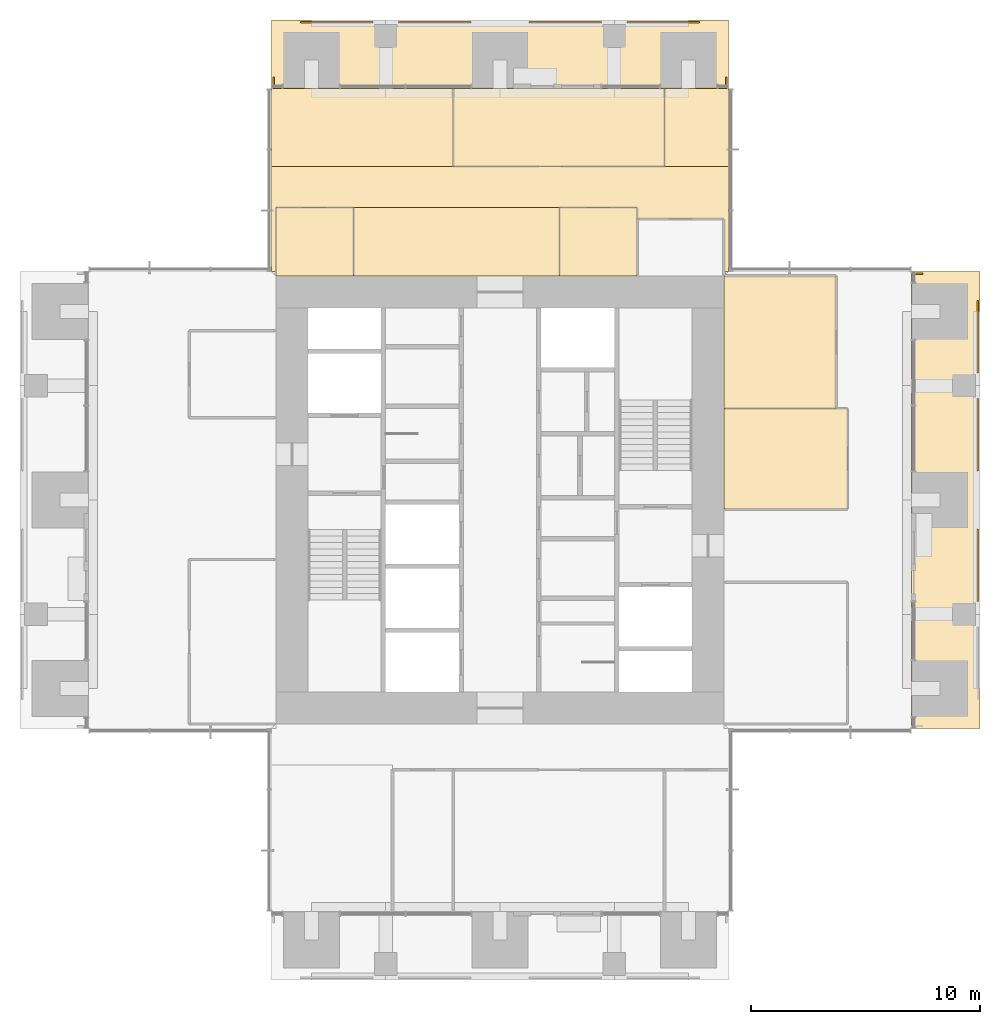
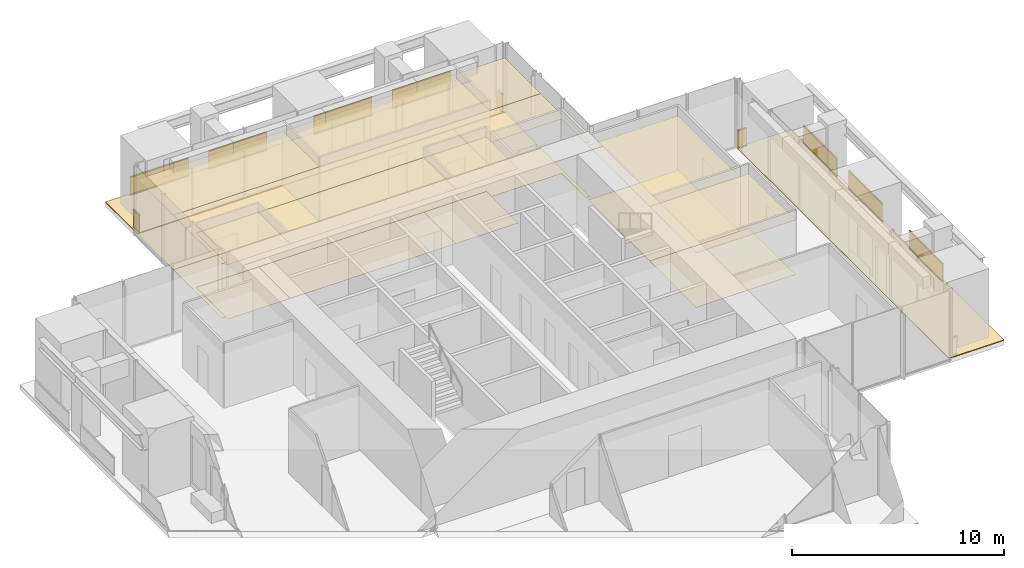
# One storey, part 16 of 17: 20 coverings, 10 railings.
"""IFC4 building model written with IfcOpenShell, lengths in metres."""

from ifc_helpers import new_model, si_unit, direction, frame, origin, origin_2d, place, context, subcontext, project, spatial, polyline, rectangle, outline, extrude, material, layer, layer_set, type_object, element, save


model = new_model("IFC4")

# Units and contexts
model_context = context("Model", 3, precision=1e-05, world=origin(), true_north=direction((0.0, 1.0)))
body_context = subcontext(model_context, "Body", "Model", "MODEL_VIEW")
ifc_project = project(units=[si_unit("LENGTHUNIT", "METRE"), si_unit("AREAUNIT", "SQUARE_METRE"), si_unit("VOLUMEUNIT", "CUBIC_METRE"), si_unit("PLANEANGLEUNIT", "RADIAN"), si_unit("MASSUNIT", "GRAM", prefix="KILO")], contexts=[model_context])

# Site, building, storey
site_placement = place(None, origin())
site = spatial("IfcSite", under=ifc_project, at=site_placement, CompositionType="ELEMENT")
building_placement = place(site_placement, origin())
building = spatial("IfcBuilding", under=site, at=building_placement, Name="Svetlomir Tower", CompositionType="ELEMENT")
storey_placement = place(building_placement, frame((0.0, 0.0, 170.5)))
storey = spatial("IfcBuildingStorey", under=building, at=storey_placement, Name="L40", CompositionType="ELEMENT", Elevation=170.5)

# Railings
ifc_material_1 = material(Name="Bronze anodised aluminium and laminated glass", Category="aluminium")
railing_type = type_object("IfcRailingType", Name="BALCONY GUARD GR1 1100", PredefinedType="GUARDRAIL", material=ifc_material_1)
for number, where, name in (
    (1, (41.89990234375, 16.550048828125, 0.0), "Loggia guard E L40 bay 2"),
    (2, (41.89990234375, 22.27490234375, 0.0), "Loggia guard E L40 bay 3"),
    (3, (41.89990234375, 26.550048828125, 0.0), "Loggia guard E L40 bay 4"),
):
    element("IfcRailing", number, at=place(storey_placement, frame(where)), inside=storey, type_object=railing_type, Name=name, PredefinedType="GUARDRAIL", context=body_context, shape_type="SweptSolid", body=[
        extrude(rectangle(XDim=0.06005859375, YDim=0.10009765625, at=origin_2d()), frame((0.0, 0.0, 0.050048828125), z_axis=(0.0, 1.0, 0.0), x_axis=(-1.0, 0.0, 0.0)), (0.0, 0.0, 1.0), 3.175048828125),
        extrude(rectangle(XDim=0.021484375, YDim=0.960205078125, at=origin_2d()), frame((0.0, 0.0, 0.580078125), z_axis=(0.0, 1.0, 0.0), x_axis=(-1.0, 0.0, 0.0)), (0.0, 0.0, 1.0), 3.175048828125),
        extrude(rectangle(XDim=0.06005859375, YDim=0.0400390625, at=origin_2d()), frame((0.0, 0.0, 1.080078125), z_axis=(0.0, 1.0, 0.0), x_axis=(-1.0, 0.0, 0.0)), (0.0, 0.0, 1.0), 3.175048828125),
    ])
railing_placement = place(storey_placement, frame((39.5, 30.89990234375, 0.0)))
element("IfcRailing", 4, at=railing_placement, inside=storey, type_object=railing_type, Name="Loggia guard E L40 end 2", PredefinedType="GUARDRAIL", context=body_context, shape_type="SweptSolid", body=[
    extrude(rectangle(XDim=0.06005859375, YDim=0.10009765625, at=origin_2d()), frame((0.0, 0.0, 0.050048828125), z_axis=(-1.0, 0.0, 0.0), x_axis=(0.0, -1.0, 0.0)), (0.0, 0.0, 1.0), 0.5),
    extrude(rectangle(XDim=0.021484375, YDim=0.960205078125, at=origin_2d()), frame((0.0, 0.0, 0.580078125), z_axis=(-1.0, 0.0, 0.0), x_axis=(0.0, -1.0, 0.0)), (0.0, 0.0, 1.0), 0.5),
    extrude(rectangle(XDim=0.06005859375, YDim=0.0400390625, at=origin_2d()), frame((0.0, 0.0, 1.080078125), z_axis=(-1.0, 0.0, 0.0), x_axis=(0.0, -1.0, 0.0)), (0.0, 0.0, 1.0), 0.5),
])
for number, where, name in (
    (5, (12.27490234375, 41.89990234375, 0.0), "Loggia guard N L40 bay 1"),
    (6, (16.550048828125, 41.89990234375, 0.0), "Loggia guard N L40 bay 2"),
    (7, (22.27490234375, 41.89990234375, 0.0), "Loggia guard N L40 bay 3"),
    (8, (26.550048828125, 41.89990234375, 0.0), "Loggia guard N L40 bay 4"),
):
    element("IfcRailing", number, at=place(storey_placement, frame(where)), inside=storey, type_object=railing_type, Name=name, PredefinedType="GUARDRAIL", context=body_context, shape_type="SweptSolid", body=[
        extrude(rectangle(XDim=0.06005859375, YDim=0.10009765625, at=origin_2d()), frame((0.0, 0.0, 0.050048828125), z_axis=(1.0, 0.0, 0.0), x_axis=(0.0, 1.0, 0.0)), (0.0, 0.0, 1.0), 3.175048828125),
        extrude(rectangle(XDim=0.021484375, YDim=0.960205078125, at=origin_2d()), frame((0.0, 0.0, 0.580078125), z_axis=(1.0, 0.0, 0.0), x_axis=(0.0, 1.0, 0.0)), (0.0, 0.0, 1.0), 3.175048828125),
        extrude(rectangle(XDim=0.06005859375, YDim=0.0400390625, at=origin_2d()), frame((0.0, 0.0, 1.080078125), z_axis=(1.0, 0.0, 0.0), x_axis=(0.0, 1.0, 0.0)), (0.0, 0.0, 1.0), 3.175048828125),
    ])
for number, where, name in (
    (9, (11.10009765625, 39.5, 0.0), "Loggia guard N L40 end 1"),
    (10, (30.89990234375, 39.5, 0.0), "Loggia guard N L40 end 2"),
):
    element("IfcRailing", number, at=place(storey_placement, frame(where)), inside=storey, type_object=railing_type, Name=name, PredefinedType="GUARDRAIL", context=body_context, shape_type="SweptSolid", body=[
        extrude(rectangle(XDim=0.06005859375, YDim=0.10009765625, at=origin_2d()), frame((0.0, 0.0, 0.050048828125), z_axis=(0.0, -1.0, 0.0), x_axis=(1.0, 0.0, 0.0)), (0.0, 0.0, 1.0), 0.5),
        extrude(rectangle(XDim=0.021484375, YDim=0.960205078125, at=origin_2d()), frame((0.0, 0.0, 0.580078125), z_axis=(0.0, -1.0, 0.0), x_axis=(1.0, 0.0, 0.0)), (0.0, 0.0, 1.0), 0.5),
        extrude(rectangle(XDim=0.06005859375, YDim=0.0400390625, at=origin_2d()), frame((0.0, 0.0, 1.080078125), z_axis=(0.0, -1.0, 0.0), x_axis=(1.0, 0.0, 0.0)), (0.0, 0.0, 1.0), 0.5),
    ])

# Coverings
ifc_material_2 = material(Name="Granite paving slabs on pedestals", Category="masonry")
ifc_layer_1 = layer(ifc_material_2, 0.0400390625)
ifc_layer_set_1 = layer_set([ifc_layer_1], Name="Granite paving slabs on pedestals")
covering_type_1 = type_object("IfcCoveringType", Name="BALCONY PAVING 40", PredefinedType="USERDEFINED", material=ifc_layer_set_1)
covering_1_placement = place(storey_placement, origin())
element("IfcCovering", 11, at=covering_1_placement, inside=storey, type_object=covering_type_1, Name="Loggia paving E L40", ObjectType="BALCONY PAVING", PredefinedType="USERDEFINED", context=body_context, shape_type="SweptSolid", body=[
    extrude(outline(polyline([(39.0, 11.0), (42.0, 11.0), (42.0, 31.0), (39.0, 31.0), (39.0, 11.0)])), origin(), (0.0, 0.0, 1.0), 0.0400390625),
])
covering_2_placement = place(storey_placement, origin())
element("IfcCovering", 12, at=covering_2_placement, inside=storey, type_object=covering_type_1, Name="Loggia paving N L40", ObjectType="BALCONY PAVING", PredefinedType="USERDEFINED", context=body_context, shape_type="SweptSolid", body=[
    extrude(outline(polyline([(11.0, 39.0), (31.0, 39.0), (31.0, 42.0), (11.0, 42.0), (11.0, 39.0)])), origin(), (0.0, 0.0, 1.0), 0.0400390625),
])
ifc_material_3 = material(Name="Carpet tile", Category="textile")
ifc_layer_2 = layer(ifc_material_3, 0.010009765625)
ifc_layer_set_2 = layer_set([ifc_layer_2], Name="Carpet tile")
covering_type_2 = type_object("IfcCoveringType", Name="CARPET TILE FLOOR 10", PredefinedType="FLOORING", material=ifc_layer_set_2)
covering_3_placement = place(storey_placement, origin())
element("IfcCovering", 13, at=covering_3_placement, inside=storey, type_object=covering_type_2, Name="Floor finish L40-22", PredefinedType="FLOORING", context=body_context, shape_type="SweptSolid", body=[
    extrude(outline(polyline([(30.800048828125, 20.60009765625), (36.199951171875, 20.60009765625), (36.199951171875, 25.0), (30.800048828125, 25.0), (30.800048828125, 20.60009765625)])), origin(), (0.0, 0.0, 1.0), 0.010009765625),
])
covering_4_placement = place(storey_placement, origin())
element("IfcCovering", 14, at=covering_4_placement, inside=storey, type_object=covering_type_2, Name="Floor finish L40-23", PredefinedType="FLOORING", context=body_context, shape_type="SweptSolid", body=[
    extrude(outline(polyline([(30.800048828125, 25.0), (35.699951171875, 25.0), (35.699951171875, 30.800048828125), (30.800048828125, 30.800048828125), (30.800048828125, 25.0)])), origin(), (0.0, 0.0, 1.0), 0.010009765625),
])
covering_5_placement = place(storey_placement, origin())
element("IfcCovering", 15, at=covering_5_placement, inside=storey, type_object=covering_type_2, Name="Floor finish L40-24", PredefinedType="FLOORING", context=body_context, shape_type="SweptSolid", body=[
    extrude(outline(polyline([(11.199951171875, 30.800048828125), (14.60009765625, 30.800048828125), (14.60009765625, 33.800048828125), (11.199951171875, 33.800048828125), (11.199951171875, 30.800048828125)])), origin(), (0.0, 0.0, 1.0), 0.010009765625),
])
covering_6_placement = place(storey_placement, origin())
element("IfcCovering", 16, at=covering_6_placement, inside=storey, type_object=covering_type_2, Name="Floor finish L40-25", PredefinedType="FLOORING", context=body_context, shape_type="SweptSolid", body=[
    extrude(outline(polyline([(23.60009765625, 30.800048828125), (27.0, 30.800048828125), (27.0, 33.800048828125), (23.60009765625, 33.800048828125), (23.60009765625, 30.800048828125)])), origin(), (0.0, 0.0, 1.0), 0.010009765625),
])
covering_7_placement = place(storey_placement, origin())
element("IfcCovering", 17, at=covering_7_placement, inside=storey, type_object=covering_type_2, Name="Floor finish L40-27", PredefinedType="FLOORING", context=body_context, shape_type="SweptSolid", body=[
    extrude(outline(polyline([(18.949951171875, 35.60009765625), (28.199951171875, 35.60009765625), (28.199951171875, 39.0), (18.949951171875, 39.0), (18.949951171875, 35.60009765625)])), origin(), (0.0, 0.0, 1.0), 0.010009765625),
])
covering_8_placement = place(storey_placement, origin())
element("IfcCovering", 18, at=covering_8_placement, inside=storey, type_object=covering_type_2, Name="Floor finish L40-31", PredefinedType="FLOORING", context=body_context, shape_type="SweptSolid", body=[
    extrude(outline(polyline([(11.199951171875, 33.800048828125), (11.199951171875, 31.0), (11.0, 31.0), (11.0, 35.60009765625), (31.0, 35.60009765625), (31.0, 31.0), (30.800048828125, 31.0), (30.800048828125, 33.300048828125), (27.0, 33.300048828125), (27.0, 33.800048828125), (11.199951171875, 33.800048828125)])), origin(), (0.0, 0.0, 1.0), 0.010009765625),
])
covering_9_placement = place(storey_placement, origin())
element("IfcCovering", 19, at=covering_9_placement, inside=storey, type_object=covering_type_2, Name="Floor finish L40-34", PredefinedType="FLOORING", context=body_context, shape_type="SweptSolid", body=[
    extrude(outline(polyline([(14.60009765625, 30.800048828125), (14.60009765625, 33.800048828125), (23.60009765625, 33.800048828125), (23.60009765625, 30.800048828125), (14.60009765625, 30.800048828125)])), origin(), (0.0, 0.0, 1.0), 0.010009765625),
])
covering_10_placement = place(storey_placement, origin())
element("IfcCovering", 20, at=covering_10_placement, inside=storey, type_object=covering_type_2, Name="Floor finish L40-35", PredefinedType="FLOORING", context=body_context, shape_type="SweptSolid", body=[
    extrude(outline(polyline([(18.949951171875, 35.60009765625), (11.0, 35.60009765625), (11.0, 39.0), (18.949951171875, 39.0), (18.949951171875, 35.60009765625)])), origin(), (0.0, 0.0, 1.0), 0.010009765625),
])
covering_11_placement = place(storey_placement, origin())
element("IfcCovering", 21, at=covering_11_placement, inside=storey, type_object=covering_type_2, Name="Floor finish L40-36", PredefinedType="FLOORING", context=body_context, shape_type="SweptSolid", body=[
    extrude(outline(polyline([(28.199951171875, 35.60009765625), (28.199951171875, 39.0), (31.0, 39.0), (31.0, 35.60009765625), (28.199951171875, 35.60009765625)])), origin(), (0.0, 0.0, 1.0), 0.010009765625),
])
ifc_material_4 = material(Name="Mineral fibre ceiling tile", Category="mineral")
ifc_layer_3 = layer(ifc_material_4, 0.02001953125)
ifc_layer_set_3 = layer_set([ifc_layer_3], Name="Mineral fibre ceiling tile")
covering_type_3 = type_object("IfcCoveringType", Name="SUSPENDED CEILING 20", PredefinedType="CEILING", material=ifc_layer_set_3)
covering_12_placement = place(storey_placement, frame((0.0, 0.0, 3.1298828125)))
element("IfcCovering", 22, at=covering_12_placement, inside=storey, type_object=covering_type_3, Name="Ceiling L40-22", PredefinedType="CEILING", context=body_context, shape_type="SweptSolid", body=[
    extrude(outline(polyline([(30.800048828125, 20.60009765625), (36.199951171875, 20.60009765625), (36.199951171875, 25.0), (30.800048828125, 25.0), (30.800048828125, 20.60009765625)])), origin(), (0.0, 0.0, 1.0), 0.02001953125),
])
covering_13_placement = place(storey_placement, frame((0.0, 0.0, 3.1298828125)))
element("IfcCovering", 23, at=covering_13_placement, inside=storey, type_object=covering_type_3, Name="Ceiling L40-23", PredefinedType="CEILING", context=body_context, shape_type="SweptSolid", body=[
    extrude(outline(polyline([(30.800048828125, 25.0), (35.699951171875, 25.0), (35.699951171875, 30.800048828125), (30.800048828125, 30.800048828125), (30.800048828125, 25.0)])), origin(), (0.0, 0.0, 1.0), 0.02001953125),
])
covering_14_placement = place(storey_placement, frame((0.0, 0.0, 3.1298828125)))
element("IfcCovering", 24, at=covering_14_placement, inside=storey, type_object=covering_type_3, Name="Ceiling L40-24", PredefinedType="CEILING", context=body_context, shape_type="SweptSolid", body=[
    extrude(outline(polyline([(11.199951171875, 30.800048828125), (14.60009765625, 30.800048828125), (14.60009765625, 33.800048828125), (11.199951171875, 33.800048828125), (11.199951171875, 30.800048828125)])), origin(), (0.0, 0.0, 1.0), 0.02001953125),
])
covering_15_placement = place(storey_placement, frame((0.0, 0.0, 3.1298828125)))
element("IfcCovering", 25, at=covering_15_placement, inside=storey, type_object=covering_type_3, Name="Ceiling L40-25", PredefinedType="CEILING", context=body_context, shape_type="SweptSolid", body=[
    extrude(outline(polyline([(23.60009765625, 30.800048828125), (27.0, 30.800048828125), (27.0, 33.800048828125), (23.60009765625, 33.800048828125), (23.60009765625, 30.800048828125)])), origin(), (0.0, 0.0, 1.0), 0.02001953125),
])
covering_16_placement = place(storey_placement, frame((0.0, 0.0, 3.1298828125)))
element("IfcCovering", 26, at=covering_16_placement, inside=storey, type_object=covering_type_3, Name="Ceiling L40-27", PredefinedType="CEILING", context=body_context, shape_type="SweptSolid", body=[
    extrude(outline(polyline([(18.949951171875, 35.60009765625), (28.199951171875, 35.60009765625), (28.199951171875, 39.0), (18.949951171875, 39.0), (18.949951171875, 35.60009765625)])), origin(), (0.0, 0.0, 1.0), 0.02001953125),
])
covering_17_placement = place(storey_placement, frame((0.0, 0.0, 3.1298828125)))
element("IfcCovering", 27, at=covering_17_placement, inside=storey, type_object=covering_type_3, Name="Ceiling L40-31", PredefinedType="CEILING", context=body_context, shape_type="SweptSolid", body=[
    extrude(outline(polyline([(11.199951171875, 33.800048828125), (11.199951171875, 31.0), (11.0, 31.0), (11.0, 35.60009765625), (31.0, 35.60009765625), (31.0, 31.0), (30.800048828125, 31.0), (30.800048828125, 33.300048828125), (27.0, 33.300048828125), (27.0, 33.800048828125), (11.199951171875, 33.800048828125)])), origin(), (0.0, 0.0, 1.0), 0.02001953125),
])
covering_18_placement = place(storey_placement, frame((0.0, 0.0, 3.1298828125)))
element("IfcCovering", 28, at=covering_18_placement, inside=storey, type_object=covering_type_3, Name="Ceiling L40-34", PredefinedType="CEILING", context=body_context, shape_type="SweptSolid", body=[
    extrude(outline(polyline([(14.60009765625, 30.800048828125), (14.60009765625, 33.800048828125), (23.60009765625, 33.800048828125), (23.60009765625, 30.800048828125), (14.60009765625, 30.800048828125)])), origin(), (0.0, 0.0, 1.0), 0.02001953125),
])
covering_19_placement = place(storey_placement, frame((0.0, 0.0, 3.1298828125)))
element("IfcCovering", 29, at=covering_19_placement, inside=storey, type_object=covering_type_3, Name="Ceiling L40-35", PredefinedType="CEILING", context=body_context, shape_type="SweptSolid", body=[
    extrude(outline(polyline([(18.949951171875, 35.60009765625), (11.0, 35.60009765625), (11.0, 39.0), (18.949951171875, 39.0), (18.949951171875, 35.60009765625)])), origin(), (0.0, 0.0, 1.0), 0.02001953125),
])
covering_20_placement = place(storey_placement, frame((0.0, 0.0, 3.1298828125)))
element("IfcCovering", 30, at=covering_20_placement, inside=storey, type_object=covering_type_3, Name="Ceiling L40-36", PredefinedType="CEILING", context=body_context, shape_type="SweptSolid", body=[
    extrude(outline(polyline([(28.199951171875, 35.60009765625), (28.199951171875, 39.0), (31.0, 39.0), (31.0, 35.60009765625), (28.199951171875, 35.60009765625)])), origin(), (0.0, 0.0, 1.0), 0.02001953125),
])

save(model, "model.ifc")
